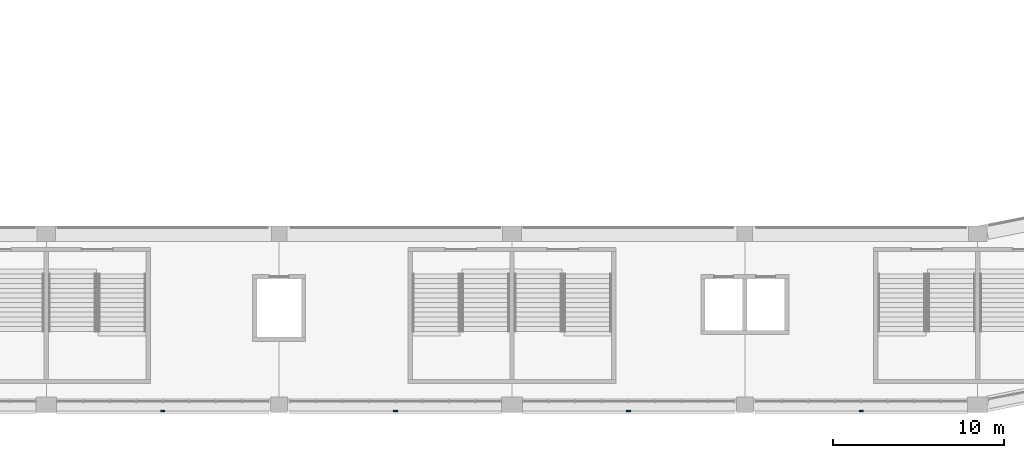
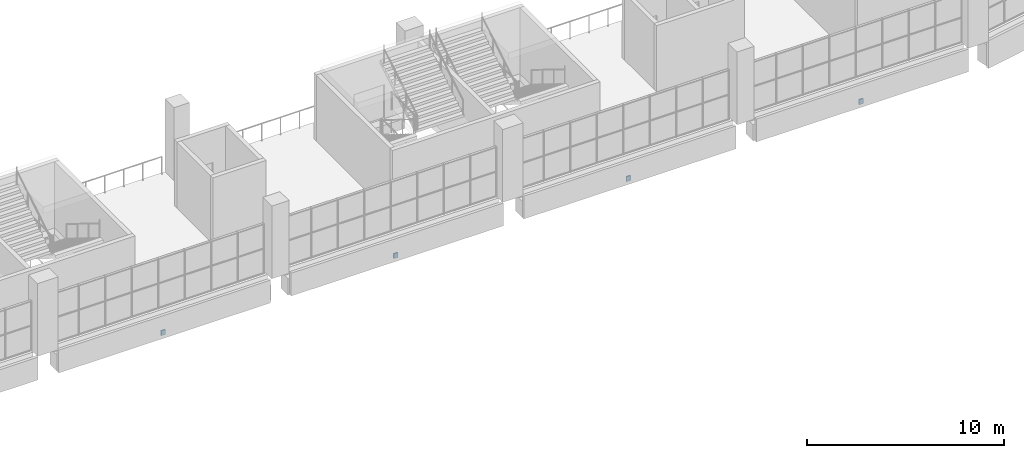
# One storey, part 72 of 177: 4 discrete accessories.
"""IFC4 building model written with IfcOpenShell, lengths in metres."""

from ifc_helpers import new_model, si_unit, direction, frame, origin, origin_2d, place, context, subcontext, project, spatial, rectangle, extrude, material, layer, layer_set, type_object, element, save


model = new_model("IFC4")

# Units and contexts
model_context = context("Model", 3, precision=1e-05, world=origin(), true_north=direction((0.0, 1.0)))
body_context = subcontext(model_context, "Body", "Model", "MODEL_VIEW")
ifc_project = project(units=[si_unit("LENGTHUNIT", "METRE"), si_unit("AREAUNIT", "SQUARE_METRE"), si_unit("VOLUMEUNIT", "CUBIC_METRE"), si_unit("PLANEANGLEUNIT", "RADIAN"), si_unit("MASSUNIT", "GRAM", prefix="KILO")], contexts=[model_context])

# Site, building, storey
site_placement = place(None, origin())
site = spatial("IfcSite", under=ifc_project, at=site_placement, CompositionType="ELEMENT")
building_placement = place(site_placement, origin())
building = spatial("IfcBuilding", under=site, at=building_placement, Name="Ogive Plaza Stadium", CompositionType="ELEMENT")
storey_placement = place(building_placement, frame((0.0, 0.0, 18.0)))
storey = spatial("IfcBuildingStorey", under=building, at=storey_placement, Name="L04", CompositionType="ELEMENT", Elevation=18.0)

# Discrete accessories
ifc_material = material(Name="Steel ASTM A572 Grade 50", Category="steel")
ifc_layer = layer(ifc_material, 0.080078125)
ifc_layer_set = layer_set([ifc_layer], Name="Steel ASTM A572 Grade 50")
discrete_accessory_type = type_object("IfcDiscreteAccessoryType", Name="Spandrel cladding bracket 250x300", PredefinedType="BRACKET", material=ifc_layer_set)
for number, where, z_axis, x_axis, name in (
    (1, (27.199951171875, -102.85009765625, -1.31005859375), (0.0, 0.0, 1.0), (-1.0, 0.0, 0.0), "SPANDREL BRACKET B12 L04"),
    (2, (13.60009765625, -102.85009765625, -1.31005859375), (0.0, 0.0, 1.0), (-1.0, 0.0, 0.0), "SPANDREL BRACKET B13 L04"),
    (3, (0.0, -102.85009765625, -1.31005859375), (0.0, 0.0, 1.0), (-1.0, 0.0, 0.0), "SPANDREL BRACKET B14 L04"),
    (4, (-13.60009765625, -102.85009765625, -1.31005859375), (0.0, 0.0, 1.0), (-1.0, 0.0, 0.0), "SPANDREL BRACKET B15 L04"),
):
    element("IfcDiscreteAccessory", number, at=place(storey_placement, frame(where, z_axis=z_axis, x_axis=x_axis)), inside=storey, type_object=discrete_accessory_type, Name=name, PredefinedType="BRACKET", context=body_context, shape_type="SweptSolid", body=[
        extrude(rectangle(XDim=0.25, YDim=0.080078125, at=origin_2d()), origin(), (0.0, 0.0, 1.0), 0.300048828125),
    ])

save(model, "model.ifc")
